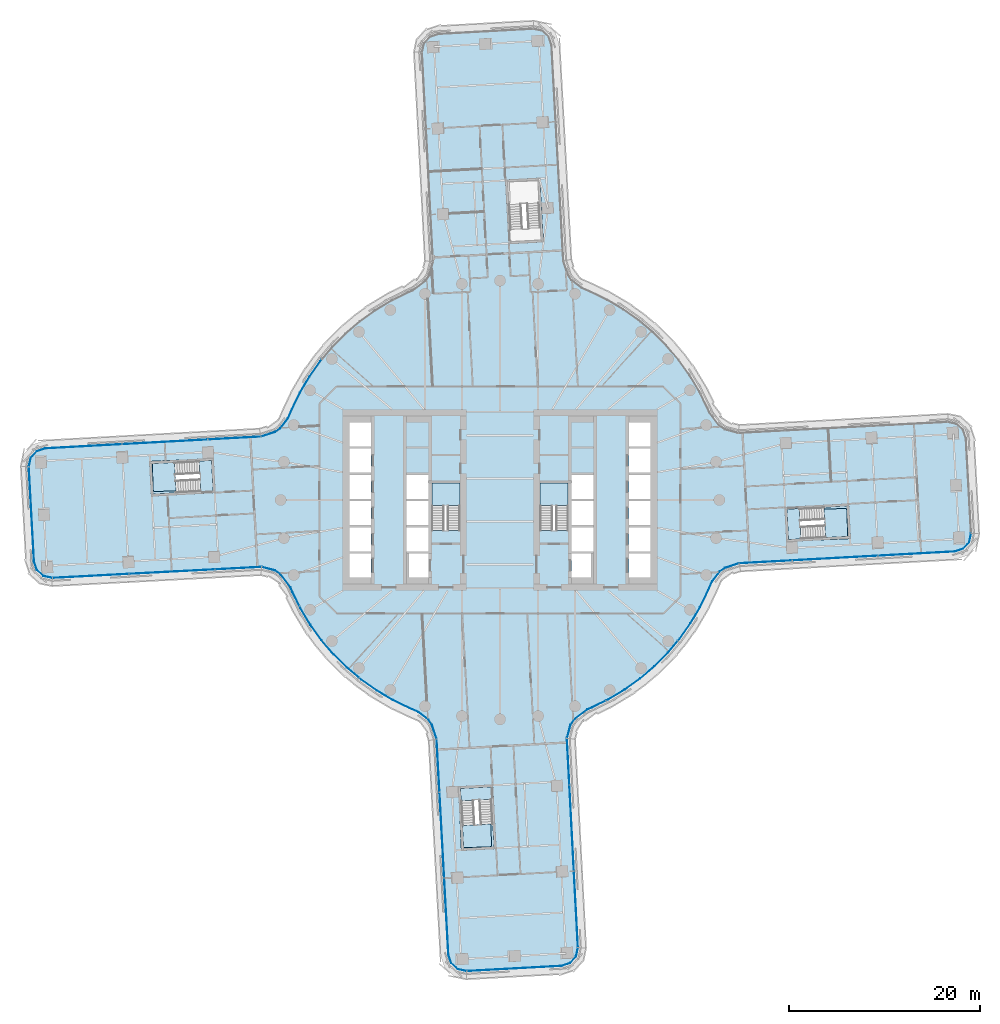
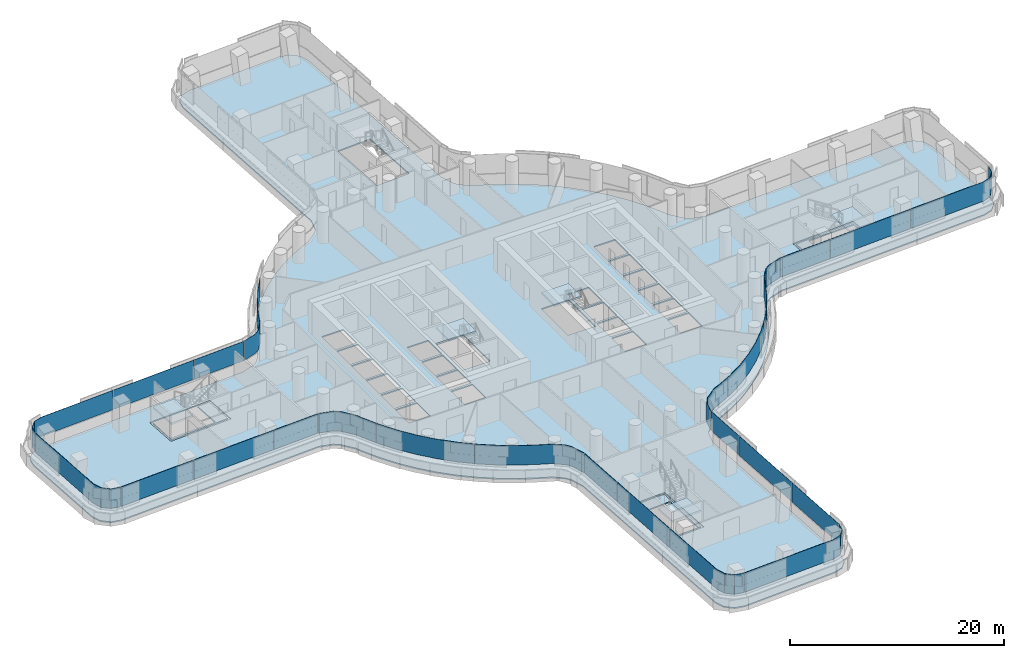
# One storey, part 17 of 31: 24 plates, 9 slabs, 15 elements without a shape of their own.
"""IFC4 building model written with IfcOpenShell, lengths in metres."""

from ifc_helpers import new_model, si_unit, direction, frame, origin, place, context, subcontext, project, spatial, polyline, outline, extrude, material, layer, layer_set, type_object, element, aggregate, save


model = new_model("IFC4")

# Units and contexts
model_context = context("Model", 3, precision=1e-05, world=origin(), true_north=direction((0.0, 1.0)))
body_context = subcontext(model_context, "Body", "Model", "MODEL_VIEW")
ifc_project = project(units=[si_unit("LENGTHUNIT", "METRE"), si_unit("AREAUNIT", "SQUARE_METRE"), si_unit("VOLUMEUNIT", "CUBIC_METRE"), si_unit("PLANEANGLEUNIT", "RADIAN"), si_unit("MASSUNIT", "GRAM", prefix="KILO")], contexts=[model_context])

# Site, building, storey
site_placement = place(None, origin())
site = spatial("IfcSite", under=ifc_project, at=site_placement, CompositionType="ELEMENT")
building_placement = place(site_placement, origin())
building = spatial("IfcBuilding", under=site, at=building_placement, Name="Tamarind Cross Interchange Tower", CompositionType="ELEMENT")
storey_placement = place(building_placement, frame((0.0, 0.0, 45.25)))
storey = spatial("IfcBuildingStorey", under=building, at=storey_placement, Name="L09", CompositionType="ELEMENT", Elevation=45.25)

# Slabs
ifc_material_1 = material(Name="Concrete C35", Category="concrete")
ifc_layer_1 = layer(ifc_material_1, 0.139892578125)
ifc_layer_set_1 = layer_set([ifc_layer_1], Name="Concrete C35")
slab_type_1 = type_object("IfcSlabType", Name="Composite slab 140 Concrete C35", PredefinedType="FLOOR", material=ifc_layer_set_1)
slab_1_placement = place(storey_placement, frame((0.0, 0.0, -0.139892578125)))
element("IfcSlab", 1, at=slab_1_placement, inside=storey, type_object=slab_type_1, Name="Floor slab L09", PredefinedType="FLOOR", context=body_context, shape_type="SweptSolid", body=[
    extrude(outline(polyline([(-23.63134765625, 7.318115234375), (-25.098388671875, 6.8408203125), (-47.7001953125, 5.60302734375), (-48.68408203125, 5.281005859375), (-49.375, 4.510009765625), (-49.587890625, 3.496826171875), (-49.041015625, -6.48828125), (-48.718994140625, -7.47216796875), (-47.947998046875, -8.1630859375), (-46.934814453125, -8.3759765625), (-25.001220703125, -7.223388671875), (-23.67041015625, -7.575439453125), (-23.164794921875, -7.90087890625), (-22.13720703125, -9.234375), (-21.93310546875, -9.7333984375), (-21.054443359375, -11.511474609375), (-20.031982421875, -13.2109375), (-18.87255859375, -14.820068359375), (-17.584228515625, -16.327880859375), (-16.17578125, -17.72412109375), (-14.656982421875, -18.99951171875), (-13.0380859375, -20.14501953125), (-11.329833984375, -21.15283203125), (-9.54443359375, -22.01611328125), (-8.640380859375, -22.412353515625), (-7.64208984375, -23.183837890625), (-7.318115234375, -23.63134765625), (-6.8408203125, -25.098388671875), (-5.60302734375, -47.7001953125), (-5.281005859375, -48.68408203125), (-4.510009765625, -49.375), (-3.496826171875, -49.587890625), (6.48828125, -49.041015625), (7.47216796875, -48.718994140625), (8.1630859375, -47.947998046875), (8.3759765625, -46.934814453125), (7.223388671875, -25.001220703125), (7.575439453125, -23.67041015625), (7.90087890625, -23.164794921875), (9.234375, -22.13720703125), (9.7333984375, -21.93310546875), (11.511474609375, -21.054443359375), (13.2109375, -20.031982421875), (14.820068359375, -18.87255859375), (16.327880859375, -17.584228515625), (17.72412109375, -16.17578125), (18.99951171875, -14.656982421875), (20.14501953125, -13.0380859375), (21.15283203125, -11.329833984375), (22.01611328125, -9.54443359375), (22.412353515625, -8.640380859375), (23.183837890625, -7.64208984375), (23.63134765625, -7.318115234375), (25.098388671875, -6.8408203125), (47.7001953125, -5.60302734375), (48.68408203125, -5.281005859375), (49.375, -4.510009765625), (49.587890625, -3.496826171875), (49.041015625, 6.48828125), (48.718994140625, 7.47216796875), (47.947998046875, 8.1630859375), (46.934814453125, 8.3759765625), (25.001220703125, 7.223388671875), (23.67041015625, 7.575439453125), (23.164794921875, 7.90087890625), (22.13720703125, 9.234375), (21.93310546875, 9.7333984375), (21.054443359375, 11.511474609375), (20.031982421875, 13.2109375), (18.87255859375, 14.820068359375), (17.584228515625, 16.327880859375), (16.17578125, 17.72412109375), (14.656982421875, 18.99951171875), (13.0380859375, 20.14501953125), (11.329833984375, 21.15283203125), (9.54443359375, 22.01611328125), (8.640380859375, 22.412353515625), (7.64208984375, 23.183837890625), (7.318115234375, 23.63134765625), (6.8408203125, 25.098388671875), (5.60302734375, 47.7001953125), (5.281005859375, 48.68408203125), (4.510009765625, 49.375), (3.496826171875, 49.587890625), (-6.48828125, 49.041015625), (-7.47216796875, 48.718994140625), (-8.1630859375, 47.947998046875), (-8.3759765625, 46.934814453125), (-7.223388671875, 25.001220703125), (-7.575439453125, 23.67041015625), (-7.90087890625, 23.164794921875), (-9.234375, 22.13720703125), (-9.7333984375, 21.93310546875), (-11.511474609375, 21.054443359375), (-13.2109375, 20.031982421875), (-14.820068359375, 18.87255859375), (-16.327880859375, 17.584228515625), (-17.72412109375, 16.17578125), (-18.99951171875, 14.656982421875), (-20.14501953125, 13.0380859375), (-21.15283203125, 11.329833984375), (-22.01611328125, 9.54443359375), (-22.412353515625, 8.640380859375), (-23.183837890625, 7.64208984375), (-23.63134765625, 7.318115234375)]), holes=[polyline([(-13.5, -8.125), (-15.800048828125, -8.125), (-15.800048828125, -5.625), (-13.5, -5.625), (-13.5, -8.125)]), polyline([(-13.5, -5.375), (-15.800048828125, -5.375), (-15.800048828125, -2.875), (-13.5, -2.875), (-13.5, -5.375)]), polyline([(-7.5, -5.375), (-9.800048828125, -5.375), (-9.800048828125, -2.875), (-7.5, -2.875), (-7.5, -5.375)]), polyline([(-15.800048828125, -2.625), (-15.800048828125, -0.125), (-13.5, -0.125), (-13.5, -2.625), (-15.800048828125, -2.625)]), polyline([(-9.800048828125, -2.625), (-9.800048828125, -0.125), (-7.5, -0.125), (-7.5, -2.625), (-9.800048828125, -2.625)]), polyline([(-29.85400390625, 0.771728515625), (-36.5439453125, 0.405517578125), (-36.554931640625, 0.60498046875), (-36.729736328125, 3.80029296875), (-36.74072265625, 4.0), (-36.4560546875, 4.015625), (-36.458251953125, 4.075439453125), (-33.1708984375, 4.195556640625), (-30.05078125, 4.3662109375), (-30.039794921875, 4.16650390625), (-29.864990234375, 0.971435546875), (-29.85400390625, 0.771728515625)]), polyline([(-13.5, 0.125), (-15.800048828125, 0.125), (-15.800048828125, 2.625), (-13.5, 2.625), (-13.5, 0.125)]), polyline([(-7.5, 0.125), (-9.800048828125, 0.125), (-9.800048828125, 2.625), (-7.5, 2.625), (-7.5, 0.125)]), polyline([(-13.5, 2.875), (-15.800048828125, 2.875), (-15.800048828125, 5.375), (-13.5, 5.375), (-13.5, 2.875)]), polyline([(-15.800048828125, 5.625), (-15.800048828125, 8.125), (-13.5, 8.125), (-13.5, 5.625), (-15.800048828125, 5.625)]), polyline([(-4.3662109375, -30.05078125), (-4.16650390625, -30.039794921875), (-0.971435546875, -29.864990234375), (-0.771728515625, -29.85400390625), (-0.405517578125, -36.5439453125), (-0.60498046875, -36.554931640625), (-3.80029296875, -36.729736328125), (-4.0, -36.74072265625), (-4.015625, -36.4560546875), (-4.075439453125, -36.458251953125), (-4.195556640625, -33.1708984375), (-4.3662109375, -30.05078125)]), polyline([(-9.800048828125, -8.125), (-9.800048828125, -5.625), (-7.5, -5.625), (-7.5, -8.125), (-9.800048828125, -8.125)]), polyline([(9.800048828125, -2.875), (9.800048828125, -5.375), (7.5, -5.375), (7.5, -2.875), (9.800048828125, -2.875)]), polyline([(-4.199951171875, 1.800048828125), (-4.199951171875, -3.18798828125), (-7.14990234375, -3.18798828125), (-7.14990234375, 1.800048828125), (-4.199951171875, 1.800048828125)]), polyline([(7.14990234375, 1.800048828125), (7.14990234375, -3.18798828125), (4.199951171875, -3.18798828125), (4.199951171875, 1.800048828125), (7.14990234375, 1.800048828125)]), polyline([(4.530517578125, 27.055419921875), (4.330810546875, 27.044189453125), (1.135498046875, 26.869384765625), (0.935791015625, 26.8583984375), (0.5693359375, 33.54833984375), (0.76904296875, 33.559326171875), (3.96435546875, 33.734375), (4.1640625, 33.745361328125), (4.1796875, 33.4599609375), (4.184814453125, 33.460205078125), (4.195556640625, 33.1708984375), (4.530517578125, 27.055419921875)]), polyline([(7.5, -5.625), (9.800048828125, -5.625), (9.800048828125, -8.125), (7.5, -8.125), (7.5, -5.625)]), polyline([(15.800048828125, -5.625), (15.800048828125, -8.125), (13.5, -8.125), (13.5, -5.625), (15.800048828125, -5.625)]), polyline([(15.800048828125, -2.875), (15.800048828125, -5.375), (13.5, -5.375), (13.5, -2.875), (15.800048828125, -2.875)]), polyline([(33.1708984375, -4.195556640625), (30.05078125, -4.3662109375), (30.039794921875, -4.16650390625), (29.864990234375, -0.971435546875), (29.85400390625, -0.771728515625), (36.5439453125, -0.405517578125), (36.554931640625, -0.60498046875), (36.729736328125, -3.80029296875), (36.74072265625, -4.0), (36.4560546875, -4.015625), (36.458251953125, -4.075439453125), (33.1708984375, -4.195556640625)]), polyline([(9.800048828125, -0.125), (9.800048828125, -2.625), (7.5, -2.625), (7.5, -0.125), (9.800048828125, -0.125)]), polyline([(13.5, -0.125), (15.800048828125, -0.125), (15.800048828125, -2.625), (13.5, -2.625), (13.5, -0.125)]), polyline([(9.800048828125, 2.625), (9.800048828125, 0.125), (7.5, 0.125), (7.5, 2.625), (9.800048828125, 2.625)]), polyline([(13.5, 2.625), (15.800048828125, 2.625), (15.800048828125, 0.125), (13.5, 0.125), (13.5, 2.625)]), polyline([(15.800048828125, 5.375), (15.800048828125, 2.875), (13.5, 2.875), (13.5, 5.375), (15.800048828125, 5.375)]), polyline([(15.800048828125, 8.125), (15.800048828125, 5.625), (13.5, 5.625), (13.5, 8.125), (15.800048828125, 8.125)])]), origin(), (0.0, 0.0, 1.0), 0.139892578125),
])
slab_2_placement = place(storey_placement, frame((0.0, 0.0, -0.139892578125)))
element("IfcSlab", 2, at=slab_2_placement, inside=storey, type_object=slab_type_1, Name="Floor slab L09", PredefinedType="FLOOR", context=body_context, shape_type="SweptSolid", body=[
    extrude(outline(polyline([(-36.530029296875, 3.811279296875), (-36.355224609375, 0.615966796875), (-30.064697265625, 0.96044921875), (-30.239501953125, 4.15576171875), (-31.549560546875, 4.083984375), (-31.3837890625, 1.05859375), (-36.341552734375, 0.877685546875), (-36.44873046875, 3.815673828125), (-36.530029296875, 3.811279296875)])), origin(), (0.0, 0.0, 1.0), 0.139892578125),
])
slab_3_placement = place(storey_placement, frame((0.0, 0.0, -0.139892578125)))
element("IfcSlab", 3, at=slab_3_placement, inside=storey, type_object=slab_type_1, Name="Floor slab L09", PredefinedType="FLOOR", context=body_context, shape_type="SweptSolid", body=[
    extrude(outline(polyline([(-3.811279296875, -36.530029296875), (-0.615966796875, -36.355224609375), (-0.96044921875, -30.064697265625), (-4.15576171875, -30.239501953125), (-4.083984375, -31.549560546875), (-1.05859375, -31.3837890625), (-0.877685546875, -36.341552734375), (-3.815673828125, -36.44873046875), (-3.811279296875, -36.530029296875)])), origin(), (0.0, 0.0, 1.0), 0.139892578125),
])
slab_4_placement = place(storey_placement, frame((0.0, 0.0, -0.139892578125)))
element("IfcSlab", 4, at=slab_4_placement, inside=storey, type_object=slab_type_1, Name="Floor slab L09", PredefinedType="FLOOR", context=body_context, shape_type="SweptSolid", body=[
    extrude(outline(polyline([(36.530029296875, -3.811279296875), (36.355224609375, -0.615966796875), (30.064697265625, -0.96044921875), (30.239501953125, -4.15576171875), (31.549560546875, -4.083984375), (31.3837890625, -1.05859375), (36.341552734375, -0.877685546875), (36.44873046875, -3.815673828125), (36.530029296875, -3.811279296875)])), origin(), (0.0, 0.0, 1.0), 0.139892578125),
])

# Stair, slab
ifc_material_2 = material(Name="Exit stair")
stair_type = type_object("IfcStairType", Name="Exit stair", PredefinedType="HALF_TURN_STAIR", material=ifc_material_2)
stair_1_placement = place(storey_placement, origin())
stair_1 = element("IfcStair", 5, at=stair_1_placement, inside=storey, type_object=stair_type, Name="L09 exit stair ST1", PredefinedType="HALF_TURN_STAIR")
ifc_material_3 = material(Name="Concrete C40", Category="concrete")
ifc_layer_2 = layer(ifc_material_3, 0.199951171875)
ifc_layer_set_2 = layer_set([ifc_layer_2], Name="Concrete C40")
slab_type_2 = type_object("IfcSlabType", Name="Stair landing", PredefinedType="LANDING", material=ifc_layer_set_2)
slab_5_placement = place(storey_placement, frame((0.0, 0.0, 1.675048828125)))
slab_5 = element("IfcSlab", 6, at=slab_5_placement, type_object=slab_type_2, Name="ST1 landing 1", PredefinedType="LANDING", context=body_context, shape_type="SweptSolid", body=[
    extrude(outline(polyline([(-4.199951171875, -0.60009765625), (-4.199951171875, 1.800048828125), (-7.14990234375, 1.800048828125), (-7.14990234375, -0.60009765625), (-4.199951171875, -0.60009765625)])), origin(), (0.0, 0.0, 1.0), 0.199951171875),
])
aggregate(stair_1, [slab_5])

stair_2_placement = place(storey_placement, origin())
stair_2 = element("IfcStair", 7, at=stair_2_placement, inside=storey, type_object=stair_type, Name="L09 exit stair ST2", PredefinedType="HALF_TURN_STAIR")
slab_6_placement = place(storey_placement, frame((0.0, 0.0, 1.675048828125)))
slab_6 = element("IfcSlab", 8, at=slab_6_placement, type_object=slab_type_2, Name="ST2 landing 1", PredefinedType="LANDING", context=body_context, shape_type="SweptSolid", body=[
    extrude(outline(polyline([(7.14990234375, -0.60009765625), (7.14990234375, 1.800048828125), (4.199951171875, 1.800048828125), (4.199951171875, -0.60009765625), (7.14990234375, -0.60009765625)])), origin(), (0.0, 0.0, 1.0), 0.199951171875),
])
aggregate(stair_2, [slab_6])

stair_3_placement = place(storey_placement, origin())
stair_3 = element("IfcStair", 9, at=stair_3_placement, inside=storey, type_object=stair_type, Name="L09 exit stair ST3", PredefinedType="HALF_TURN_STAIR")
slab_7_placement = place(storey_placement, frame((0.0, 0.0, 1.675048828125)))
slab_7 = element("IfcSlab", 10, at=slab_7_placement, type_object=slab_type_2, Name="ST3 landing 1", PredefinedType="LANDING", context=body_context, shape_type="SweptSolid", body=[
    extrude(outline(polyline([(34.121826171875, -3.943115234375), (36.530029296875, -3.811279296875), (36.355224609375, -0.615966796875), (33.94677734375, -0.747802734375), (34.121826171875, -3.943115234375)])), origin(), (0.0, 0.0, 1.0), 0.199951171875),
])
aggregate(stair_3, [slab_7])

stair_4_placement = place(storey_placement, origin())
stair_4 = element("IfcStair", 11, at=stair_4_placement, inside=storey, type_object=stair_type, Name="L09 exit stair ST5", PredefinedType="HALF_TURN_STAIR")
slab_8_placement = place(storey_placement, frame((0.0, 0.0, 1.675048828125)))
slab_8 = element("IfcSlab", 12, at=slab_8_placement, type_object=slab_type_2, Name="ST5 landing 1", PredefinedType="LANDING", context=body_context, shape_type="SweptSolid", body=[
    extrude(outline(polyline([(-34.121826171875, 3.943115234375), (-36.530029296875, 3.811279296875), (-36.355224609375, 0.615966796875), (-33.94677734375, 0.747802734375), (-34.121826171875, 3.943115234375)])), origin(), (0.0, 0.0, 1.0), 0.199951171875),
])
aggregate(stair_4, [slab_8])

stair_5_placement = place(storey_placement, origin())
stair_5 = element("IfcStair", 13, at=stair_5_placement, inside=storey, type_object=stair_type, Name="L09 exit stair ST6", PredefinedType="HALF_TURN_STAIR")
slab_9_placement = place(storey_placement, frame((0.0, 0.0, 1.675048828125)))
slab_9 = element("IfcSlab", 14, at=slab_9_placement, type_object=slab_type_2, Name="ST6 landing 1", PredefinedType="LANDING", context=body_context, shape_type="SweptSolid", body=[
    extrude(outline(polyline([(-3.943115234375, -34.121826171875), (-3.811279296875, -36.530029296875), (-0.615966796875, -36.355224609375), (-0.747802734375, -33.94677734375), (-3.943115234375, -34.121826171875)])), origin(), (0.0, 0.0, 1.0), 0.199951171875),
])
aggregate(stair_5, [slab_9])

# Curtain wall, plate
ifc_material_4 = material(Name="Aluminium 6063-T6", Category="aluminium")
ifc_layer_3 = layer(ifc_material_4, 0.159912109375)
ifc_layer_set_3 = layer_set([ifc_layer_3], Name="Aluminium 6063-T6")
curtain_wall_type = type_object("IfcCurtainWallType", Name="Office curtain wall, 9.0 m bays", PredefinedType="NOTDEFINED", material=ifc_layer_set_3)
curtain_wall_1_placement = place(storey_placement, origin())
curtain_wall_1 = element("IfcCurtainWall", 15, at=curtain_wall_1_placement, inside=storey, type_object=curtain_wall_type, Name="CWS-L09-00", PredefinedType="NOTDEFINED")
ifc_material_5 = material(Name="Laminated low-e glass 8+1.52+8", Category="glass")
ifc_layer_4 = layer(ifc_material_5, 0.028076171875)
ifc_layer_set_4 = layer_set([ifc_layer_4], Name="Laminated low-e glass 8+1.52+8")
plate_type = type_object("IfcPlateType", Name="Vision panel CW1", PredefinedType="CURTAIN_PANEL", material=ifc_layer_set_4)
plate_1_placement = place(storey_placement, frame((0.0, 0.0, 1.39990234375)))
plate_1 = element("IfcPlate", 16, at=plate_1_placement, type_object=plate_type, Name="CWP-L09-00-00", PredefinedType="CURTAIN_PANEL", context=body_context, shape_type="SweptSolid", body=[
    extrude(outline(polyline([(-49.37109375, 3.4521484375), (-48.8291015625, -6.448486328125), (-48.533447265625, -7.35107421875), (-47.847900390625, -7.96533203125), (-46.945556640625, -8.155029296875), (-46.951416015625, -8.182373046875), (-47.86083984375, -7.9912109375), (-48.5576171875, -7.366943359375), (-48.856689453125, -6.45361328125), (-49.399169921875, 3.45068359375), (-49.37109375, 3.4521484375)])), origin(), (0.0, 0.0, 1.0), 2.210205078125),
])
aggregate(curtain_wall_1, [plate_1])

# Curtain wall, plates
curtain_wall_2_placement = place(storey_placement, origin())
curtain_wall_2 = element("IfcCurtainWall", 17, at=curtain_wall_2_placement, inside=storey, type_object=curtain_wall_type, Name="CWS-L09-01", PredefinedType="NOTDEFINED")
plate_2_placement = place(storey_placement, frame((0.0, 0.0, 1.39990234375)))
plate_2 = element("IfcPlate", 18, at=plate_2_placement, type_object=plate_type, Name="CWP-L09-01-00", PredefinedType="CURTAIN_PANEL", context=body_context, shape_type="SweptSolid", body=[
    extrude(outline(polyline([(-46.889892578125, -8.1591796875), (-38.903564453125, -7.739501953125), (-38.902099609375, -7.767578125), (-46.888427734375, -8.187255859375), (-46.889892578125, -8.1591796875)])), origin(), (0.0, 0.0, 1.0), 2.210205078125),
])
plate_3_placement = place(storey_placement, frame((0.0, 0.0, 1.39990234375)))
plate_3 = element("IfcPlate", 19, at=plate_3_placement, type_object=plate_type, Name="CWP-L09-01-01", PredefinedType="CURTAIN_PANEL", context=body_context, shape_type="SweptSolid", body=[
    extrude(outline(polyline([(-38.84375, -7.736328125), (-29.913818359375, -7.26708984375), (-29.912353515625, -7.295166015625), (-38.84228515625, -7.764404296875), (-38.84375, -7.736328125)])), origin(), (0.0, 0.0, 1.0), 2.210205078125),
])
plate_4_placement = place(storey_placement, frame((0.0, 0.0, 1.39990234375)))
plate_4 = element("IfcPlate", 20, at=plate_4_placement, type_object=plate_type, Name="CWP-L09-01-02", PredefinedType="CURTAIN_PANEL", context=body_context, shape_type="SweptSolid", body=[
    extrude(outline(polyline([(-29.85400390625, -7.263916015625), (-25.010986328125, -7.009521484375), (-25.009521484375, -7.03759765625), (-29.8525390625, -7.2919921875), (-29.85400390625, -7.263916015625)])), origin(), (0.0, 0.0, 1.0), 2.210205078125),
])
aggregate(curtain_wall_2, [plate_2, plate_3, plate_4])

curtain_wall_3_placement = place(storey_placement, origin())
curtain_wall_3 = element("IfcCurtainWall", 21, at=curtain_wall_3_placement, inside=storey, type_object=curtain_wall_type, Name="CWS-L09-02", PredefinedType="NOTDEFINED")
plate_5_placement = place(storey_placement, frame((0.0, 0.0, 1.39990234375)))
plate_5 = element("IfcPlate", 22, at=plate_5_placement, type_object=plate_type, Name="CWP-L09-02-00", PredefinedType="CURTAIN_PANEL", context=body_context, shape_type="SweptSolid", body=[
    extrude(outline(polyline([(-24.94775390625, -7.01611328125), (-23.5830078125, -7.377197265625), (-23.01806640625, -7.740966796875), (-21.949951171875, -9.126708984375), (-21.738037109375, -9.6455078125), (-21.026123046875, -11.0859375), (-21.05126953125, -11.09814453125), (-21.763427734375, -9.656982421875), (-21.974365234375, -9.140869140625), (-23.037109375, -7.761962890625), (-23.594482421875, -7.403076171875), (-24.954833984375, -7.043212890625), (-24.94775390625, -7.01611328125)])), origin(), (0.0, 0.0, 1.0), 2.210205078125),
])
plate_6_placement = place(storey_placement, frame((0.0, 0.0, 1.39990234375)))
plate_6 = element("IfcPlate", 23, at=plate_6_placement, type_object=plate_type, Name="CWP-L09-02-01", PredefinedType="CURTAIN_PANEL", context=body_context, shape_type="SweptSolid", body=[
    extrude(outline(polyline([(-20.99951171875, -11.1396484375), (-20.866455078125, -11.40869140625), (-19.85302734375, -13.093017578125), (-18.7041015625, -14.687744140625), (-17.42724609375, -16.18212890625), (-16.031494140625, -17.56591796875), (-14.77783203125, -18.61865234375), (-14.7958984375, -18.64013671875), (-16.05029296875, -17.586669921875), (-17.44775390625, -16.201171875), (-18.72607421875, -14.705078125), (-19.87646484375, -13.1083984375), (-20.89111328125, -11.422119140625), (-21.024658203125, -11.152099609375), (-20.99951171875, -11.1396484375)])), origin(), (0.0, 0.0, 1.0), 2.210205078125),
])
plate_7_placement = place(storey_placement, frame((0.0, 0.0, 1.39990234375)))
plate_7 = element("IfcPlate", 24, at=plate_7_placement, type_object=plate_type, Name="CWP-L09-02-02", PredefinedType="CURTAIN_PANEL", context=body_context, shape_type="SweptSolid", body=[
    extrude(outline(polyline([(-14.73193359375, -18.6572265625), (-14.526123046875, -18.829833984375), (-12.921630859375, -19.965087890625), (-11.228759765625, -20.9638671875), (-9.454833984375, -21.82177734375), (-8.5302734375, -22.226806640625), (-7.48681640625, -23.033447265625), (-7.125, -23.533203125), (-6.638427734375, -25.028564453125), (-6.6650390625, -25.037353515625), (-7.150146484375, -23.5458984375), (-7.50732421875, -23.052978515625), (-8.544677734375, -22.251220703125), (-9.466552734375, -21.84716796875), (-11.241943359375, -20.98876953125), (-12.936767578125, -19.988525390625), (-14.543212890625, -18.85205078125), (-14.749755859375, -18.6787109375), (-14.73193359375, -18.6572265625)])), origin(), (0.0, 0.0, 1.0), 2.210205078125),
])
aggregate(curtain_wall_3, [plate_5, plate_6, plate_7])

curtain_wall_4_placement = place(storey_placement, origin())
curtain_wall_4 = element("IfcCurtainWall", 25, at=curtain_wall_4_placement, inside=storey, type_object=curtain_wall_type, Name="CWS-L09-03", PredefinedType="NOTDEFINED")
plate_8_placement = place(storey_placement, frame((0.0, 0.0, 1.39990234375)))
plate_8 = element("IfcPlate", 26, at=plate_8_placement, type_object=plate_type, Name="CWP-L09-03-00", PredefinedType="CURTAIN_PANEL", context=body_context, shape_type="SweptSolid", body=[
    extrude(outline(polyline([(-6.626953125, -25.090576171875), (-6.3251953125, -30.6025390625), (-6.35302734375, -30.60400390625), (-6.65478515625, -25.092041015625), (-6.626953125, -25.090576171875)])), origin(), (0.0, 0.0, 1.0), 2.210205078125),
])
plate_9_placement = place(storey_placement, frame((0.0, 0.0, 1.39990234375)))
plate_9 = element("IfcPlate", 27, at=plate_9_placement, type_object=plate_type, Name="CWP-L09-03-01", PredefinedType="CURTAIN_PANEL", context=body_context, shape_type="SweptSolid", body=[
    extrude(outline(polyline([(-6.32177734375, -30.662353515625), (-5.8330078125, -39.5888671875), (-5.86083984375, -39.590576171875), (-6.349853515625, -30.6640625), (-6.32177734375, -30.662353515625)])), origin(), (0.0, 0.0, 1.0), 2.210205078125),
])
plate_10_placement = place(storey_placement, frame((0.0, 0.0, 1.39990234375)))
plate_10 = element("IfcPlate", 28, at=plate_10_placement, type_object=plate_type, Name="CWP-L09-03-02", PredefinedType="CURTAIN_PANEL", context=body_context, shape_type="SweptSolid", body=[
    extrude(outline(polyline([(-5.82958984375, -39.64892578125), (-5.39111328125, -47.660400390625), (-5.095458984375, -48.56298828125), (-4.409912109375, -49.177490234375), (-3.5078125, -49.366943359375), (-3.513671875, -49.394287109375), (-4.4228515625, -49.203369140625), (-5.11962890625, -48.578857421875), (-5.418701171875, -47.66552734375), (-5.857666015625, -39.650390625), (-5.82958984375, -39.64892578125)])), origin(), (0.0, 0.0, 1.0), 2.210205078125),
])
aggregate(curtain_wall_4, [plate_8, plate_9, plate_10])

# Curtain wall, plate
curtain_wall_5_placement = place(storey_placement, origin())
curtain_wall_5 = element("IfcCurtainWall", 29, at=curtain_wall_5_placement, inside=storey, type_object=curtain_wall_type, Name="CWS-L09-04", PredefinedType="NOTDEFINED")
plate_11_placement = place(storey_placement, frame((0.0, 0.0, 1.39990234375)))
plate_11 = element("IfcPlate", 30, at=plate_11_placement, type_object=plate_type, Name="CWP-L09-04-00", PredefinedType="CURTAIN_PANEL", context=body_context, shape_type="SweptSolid", body=[
    extrude(outline(polyline([(-3.4521484375, -49.37109375), (6.448486328125, -48.8291015625), (7.35107421875, -48.533447265625), (7.96533203125, -47.847900390625), (8.155029296875, -46.945556640625), (8.182373046875, -46.951416015625), (7.9912109375, -47.86083984375), (7.366943359375, -48.5576171875), (6.45361328125, -48.856689453125), (-3.45068359375, -49.399169921875), (-3.4521484375, -49.37109375)])), origin(), (0.0, 0.0, 1.0), 2.210205078125),
])
aggregate(curtain_wall_5, [plate_11])

# Curtain wall, plates
curtain_wall_6_placement = place(storey_placement, origin())
curtain_wall_6 = element("IfcCurtainWall", 31, at=curtain_wall_6_placement, inside=storey, type_object=curtain_wall_type, Name="CWS-L09-05", PredefinedType="NOTDEFINED")
plate_12_placement = place(storey_placement, frame((0.0, 0.0, 1.39990234375)))
plate_12 = element("IfcPlate", 32, at=plate_12_placement, type_object=plate_type, Name="CWP-L09-05-00", PredefinedType="CURTAIN_PANEL", context=body_context, shape_type="SweptSolid", body=[
    extrude(outline(polyline([(8.1591796875, -46.889892578125), (7.739501953125, -38.903564453125), (7.767578125, -38.902099609375), (8.187255859375, -46.888427734375), (8.1591796875, -46.889892578125)])), origin(), (0.0, 0.0, 1.0), 2.210205078125),
])
plate_13_placement = place(storey_placement, frame((0.0, 0.0, 1.39990234375)))
plate_13 = element("IfcPlate", 33, at=plate_13_placement, type_object=plate_type, Name="CWP-L09-05-01", PredefinedType="CURTAIN_PANEL", context=body_context, shape_type="SweptSolid", body=[
    extrude(outline(polyline([(7.736328125, -38.84375), (7.26708984375, -29.913818359375), (7.295166015625, -29.912353515625), (7.764404296875, -38.84228515625), (7.736328125, -38.84375)])), origin(), (0.0, 0.0, 1.0), 2.210205078125),
])
plate_14_placement = place(storey_placement, frame((0.0, 0.0, 1.39990234375)))
plate_14 = element("IfcPlate", 34, at=plate_14_placement, type_object=plate_type, Name="CWP-L09-05-02", PredefinedType="CURTAIN_PANEL", context=body_context, shape_type="SweptSolid", body=[
    extrude(outline(polyline([(7.263916015625, -29.85400390625), (7.009521484375, -25.010986328125), (7.03759765625, -25.009521484375), (7.2919921875, -29.8525390625), (7.263916015625, -29.85400390625)])), origin(), (0.0, 0.0, 1.0), 2.210205078125),
])
aggregate(curtain_wall_6, [plate_12, plate_13, plate_14])

curtain_wall_7_placement = place(storey_placement, origin())
curtain_wall_7 = element("IfcCurtainWall", 35, at=curtain_wall_7_placement, inside=storey, type_object=curtain_wall_type, Name="CWS-L09-06", PredefinedType="NOTDEFINED")
plate_15_placement = place(storey_placement, frame((0.0, 0.0, 1.39990234375)))
plate_15 = element("IfcPlate", 36, at=plate_15_placement, type_object=plate_type, Name="CWP-L09-06-00", PredefinedType="CURTAIN_PANEL", context=body_context, shape_type="SweptSolid", body=[
    extrude(outline(polyline([(7.01611328125, -24.94775390625), (7.377197265625, -23.5830078125), (7.740966796875, -23.01806640625), (9.126708984375, -21.949951171875), (9.6455078125, -21.738037109375), (11.0859375, -21.026123046875), (11.09814453125, -21.05126953125), (9.656982421875, -21.763427734375), (9.140869140625, -21.974365234375), (7.761962890625, -23.037109375), (7.403076171875, -23.594482421875), (7.043212890625, -24.954833984375), (7.01611328125, -24.94775390625)])), origin(), (0.0, 0.0, 1.0), 2.210205078125),
])
plate_16_placement = place(storey_placement, frame((0.0, 0.0, 1.39990234375)))
plate_16 = element("IfcPlate", 37, at=plate_16_placement, type_object=plate_type, Name="CWP-L09-06-01", PredefinedType="CURTAIN_PANEL", context=body_context, shape_type="SweptSolid", body=[
    extrude(outline(polyline([(11.1396484375, -20.99951171875), (11.40869140625, -20.866455078125), (13.093017578125, -19.85302734375), (14.687744140625, -18.7041015625), (16.18212890625, -17.42724609375), (17.56591796875, -16.031494140625), (18.61865234375, -14.77783203125), (18.64013671875, -14.7958984375), (17.586669921875, -16.05029296875), (16.201171875, -17.44775390625), (14.705078125, -18.72607421875), (13.1083984375, -19.87646484375), (11.422119140625, -20.89111328125), (11.152099609375, -21.024658203125), (11.1396484375, -20.99951171875)])), origin(), (0.0, 0.0, 1.0), 2.210205078125),
])
plate_17_placement = place(storey_placement, frame((0.0, 0.0, 1.39990234375)))
plate_17 = element("IfcPlate", 38, at=plate_17_placement, type_object=plate_type, Name="CWP-L09-06-02", PredefinedType="CURTAIN_PANEL", context=body_context, shape_type="SweptSolid", body=[
    extrude(outline(polyline([(18.6572265625, -14.73193359375), (18.829833984375, -14.526123046875), (19.965087890625, -12.921630859375), (20.9638671875, -11.228759765625), (21.82177734375, -9.454833984375), (22.226806640625, -8.5302734375), (23.033447265625, -7.48681640625), (23.533203125, -7.125), (25.028564453125, -6.638427734375), (25.037353515625, -6.6650390625), (23.5458984375, -7.150146484375), (23.052978515625, -7.50732421875), (22.251220703125, -8.544677734375), (21.84716796875, -9.466552734375), (20.98876953125, -11.241943359375), (19.988525390625, -12.936767578125), (18.85205078125, -14.543212890625), (18.6787109375, -14.749755859375), (18.6572265625, -14.73193359375)])), origin(), (0.0, 0.0, 1.0), 2.210205078125),
])
aggregate(curtain_wall_7, [plate_15, plate_16, plate_17])

curtain_wall_8_placement = place(storey_placement, origin())
curtain_wall_8 = element("IfcCurtainWall", 39, at=curtain_wall_8_placement, inside=storey, type_object=curtain_wall_type, Name="CWS-L09-07", PredefinedType="NOTDEFINED")
plate_18_placement = place(storey_placement, frame((0.0, 0.0, 1.39990234375)))
plate_18 = element("IfcPlate", 40, at=plate_18_placement, type_object=plate_type, Name="CWP-L09-07-00", PredefinedType="CURTAIN_PANEL", context=body_context, shape_type="SweptSolid", body=[
    extrude(outline(polyline([(25.090576171875, -6.626953125), (30.6025390625, -6.3251953125), (30.60400390625, -6.35302734375), (25.092041015625, -6.65478515625), (25.090576171875, -6.626953125)])), origin(), (0.0, 0.0, 1.0), 2.210205078125),
])
plate_19_placement = place(storey_placement, frame((0.0, 0.0, 1.39990234375)))
plate_19 = element("IfcPlate", 41, at=plate_19_placement, type_object=plate_type, Name="CWP-L09-07-01", PredefinedType="CURTAIN_PANEL", context=body_context, shape_type="SweptSolid", body=[
    extrude(outline(polyline([(30.662353515625, -6.32177734375), (39.5888671875, -5.8330078125), (39.590576171875, -5.86083984375), (30.6640625, -6.349853515625), (30.662353515625, -6.32177734375)])), origin(), (0.0, 0.0, 1.0), 2.210205078125),
])
plate_20_placement = place(storey_placement, frame((0.0, 0.0, 1.39990234375)))
plate_20 = element("IfcPlate", 42, at=plate_20_placement, type_object=plate_type, Name="CWP-L09-07-02", PredefinedType="CURTAIN_PANEL", context=body_context, shape_type="SweptSolid", body=[
    extrude(outline(polyline([(39.64892578125, -5.82958984375), (47.660400390625, -5.39111328125), (48.56298828125, -5.095458984375), (49.177490234375, -4.409912109375), (49.366943359375, -3.5078125), (49.394287109375, -3.513671875), (49.203369140625, -4.4228515625), (48.578857421875, -5.11962890625), (47.66552734375, -5.418701171875), (39.650390625, -5.857666015625), (39.64892578125, -5.82958984375)])), origin(), (0.0, 0.0, 1.0), 2.210205078125),
])
aggregate(curtain_wall_8, [plate_18, plate_19, plate_20])

# Curtain wall, plate
curtain_wall_9_placement = place(storey_placement, origin())
curtain_wall_9 = element("IfcCurtainWall", 43, at=curtain_wall_9_placement, inside=storey, type_object=curtain_wall_type, Name="CWS-L09-14", PredefinedType="NOTDEFINED")
plate_21_placement = place(storey_placement, frame((0.0, 0.0, 1.39990234375)))
plate_21 = element("IfcPlate", 44, at=plate_21_placement, type_object=plate_type, Name="CWP-L09-14-02", PredefinedType="CURTAIN_PANEL", context=body_context, shape_type="SweptSolid", body=[
    extrude(outline(polyline([(-18.6572265625, 14.73193359375), (-18.829833984375, 14.526123046875), (-19.965087890625, 12.921630859375), (-20.9638671875, 11.228759765625), (-21.82177734375, 9.454833984375), (-22.226806640625, 8.5302734375), (-23.033447265625, 7.48681640625), (-23.533203125, 7.125), (-25.028564453125, 6.638427734375), (-25.037353515625, 6.6650390625), (-23.5458984375, 7.150146484375), (-23.052978515625, 7.50732421875), (-22.251220703125, 8.544677734375), (-21.84716796875, 9.466552734375), (-20.98876953125, 11.241943359375), (-19.988525390625, 12.936767578125), (-18.85205078125, 14.543212890625), (-18.6787109375, 14.749755859375), (-18.6572265625, 14.73193359375)])), origin(), (0.0, 0.0, 1.0), 2.210205078125),
])
aggregate(curtain_wall_9, [plate_21])

# Curtain wall, plates
curtain_wall_10_placement = place(storey_placement, origin())
curtain_wall_10 = element("IfcCurtainWall", 45, at=curtain_wall_10_placement, inside=storey, type_object=curtain_wall_type, Name="CWS-L09-15", PredefinedType="NOTDEFINED")
plate_22_placement = place(storey_placement, frame((0.0, 0.0, 1.39990234375)))
plate_22 = element("IfcPlate", 46, at=plate_22_placement, type_object=plate_type, Name="CWP-L09-15-00", PredefinedType="CURTAIN_PANEL", context=body_context, shape_type="SweptSolid", body=[
    extrude(outline(polyline([(-25.090576171875, 6.626953125), (-30.6025390625, 6.3251953125), (-30.60400390625, 6.35302734375), (-25.092041015625, 6.65478515625), (-25.090576171875, 6.626953125)])), origin(), (0.0, 0.0, 1.0), 2.210205078125),
])
plate_23_placement = place(storey_placement, frame((0.0, 0.0, 1.39990234375)))
plate_23 = element("IfcPlate", 47, at=plate_23_placement, type_object=plate_type, Name="CWP-L09-15-01", PredefinedType="CURTAIN_PANEL", context=body_context, shape_type="SweptSolid", body=[
    extrude(outline(polyline([(-30.662353515625, 6.32177734375), (-39.5888671875, 5.8330078125), (-39.590576171875, 5.86083984375), (-30.6640625, 6.349853515625), (-30.662353515625, 6.32177734375)])), origin(), (0.0, 0.0, 1.0), 2.210205078125),
])
plate_24_placement = place(storey_placement, frame((0.0, 0.0, 1.39990234375)))
plate_24 = element("IfcPlate", 48, at=plate_24_placement, type_object=plate_type, Name="CWP-L09-15-02", PredefinedType="CURTAIN_PANEL", context=body_context, shape_type="SweptSolid", body=[
    extrude(outline(polyline([(-39.64892578125, 5.82958984375), (-47.660400390625, 5.39111328125), (-48.56298828125, 5.095458984375), (-49.177490234375, 4.409912109375), (-49.366943359375, 3.5078125), (-49.394287109375, 3.513671875), (-49.203369140625, 4.4228515625), (-48.578857421875, 5.11962890625), (-47.66552734375, 5.418701171875), (-39.650390625, 5.857666015625), (-39.64892578125, 5.82958984375)])), origin(), (0.0, 0.0, 1.0), 2.210205078125),
])
aggregate(curtain_wall_10, [plate_22, plate_23, plate_24])

save(model, "model.ifc")
